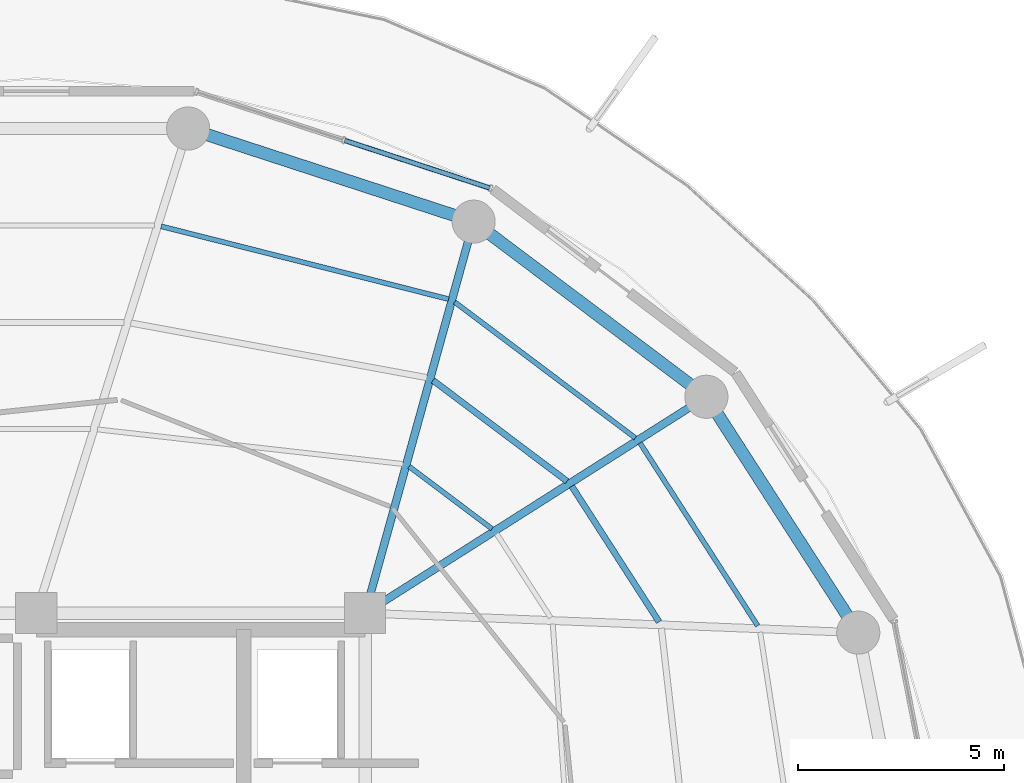
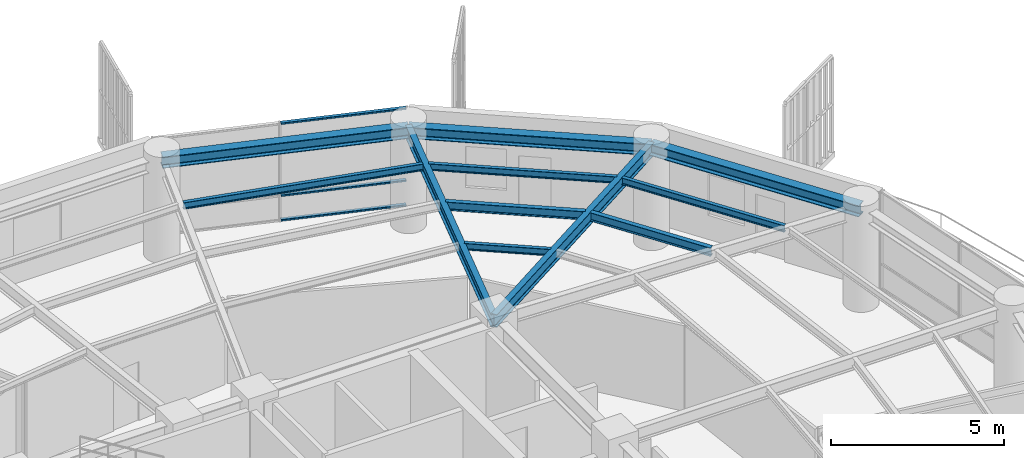
# One storey, part 21 of 31: 11 beams, 3 members, 1 element without a shape of its own.
"""IFC4 building model written with IfcOpenShell, lengths in metres."""

from ifc_helpers import new_model, si_unit, direction, frame, origin, origin_2d, place, context, subcontext, project, spatial, hollow_rectangle, i_section, extrude, material, layer, layer_set, material_profile, profile_set, type_object, element, aggregate, save


model = new_model("IFC4")

# Units and contexts
model_context = context("Model", 3, precision=1e-05, world=origin(), true_north=direction((0.0, 1.0)))
body_context = subcontext(model_context, "Body", "Model", "MODEL_VIEW")
ifc_project = project(units=[si_unit("LENGTHUNIT", "METRE"), si_unit("AREAUNIT", "SQUARE_METRE"), si_unit("VOLUMEUNIT", "CUBIC_METRE"), si_unit("PLANEANGLEUNIT", "RADIAN"), si_unit("MASSUNIT", "GRAM", prefix="KILO")], contexts=[model_context])

# Site, building, storey
site_placement = place(None, origin())
site = spatial("IfcSite", under=ifc_project, at=site_placement, CompositionType="ELEMENT")
building_placement = place(site_placement, origin())
building = spatial("IfcBuilding", under=site, at=building_placement, Name="Kelanora Arch Commons", CompositionType="ELEMENT")
storey_placement = place(building_placement, frame((0.0, 0.0, 219.449951171875)))
storey = spatial("IfcBuildingStorey", under=building, at=storey_placement, Name="L56", CompositionType="ELEMENT", Elevation=219.449951171875)

# Beams
ifc_material_1 = material(Name="Steel S355", Category="steel")
ifc_material_profile_1 = material_profile(ifc_material_1, i_section(OverallWidth=0.14990234375, OverallDepth=0.300048828125, WebThickness=0.007080078125, FlangeThickness=0.0107421875, FilletRadius=0.014892578125, at=origin_2d()), Name="IPE300")
ifc_profile_set_1 = profile_set([ifc_material_profile_1], Name="Steel S355")
beam_type_1 = type_object("IfcBeamType", Name="BM-JST-01", PredefinedType="JOIST", material=ifc_profile_set_1)
beam_1_placement = place(storey_placement, frame((89.152099609375, 64.786865234375, 3.340087890625), z_axis=(-0.541411265892, 0.840757896879, 0.0), x_axis=(-0.840757896879, -0.541411265892, 0.0)))
element("IfcBeam", 1, at=beam_1_placement, inside=storey, type_object=beam_type_1, Name="Secondary Chord Joist BJB-02 L56", PredefinedType="JOIST", context=body_context, shape_type="SweptSolid", body=[
    extrude(i_section(OverallWidth=0.14990234375, OverallDepth=0.300048828125, WebThickness=0.007080078125, FlangeThickness=0.0107421875, FilletRadius=0.014892578125, at=origin_2d()), origin(), (0.0, 0.0, 1.0), 3.92529296875),
])
beam_2_placement = place(storey_placement, frame((86.912841796875, 68.209716796875, 3.340087890625), z_axis=(-0.799101708656, 0.601195857624, 0.0), x_axis=(-0.601195857624, -0.799101708656, 0.0)))
element("IfcBeam", 2, at=beam_2_placement, inside=storey, type_object=beam_type_1, Name="Secondary Chord Joist BJB-04 L56", PredefinedType="JOIST", context=body_context, shape_type="SweptSolid", body=[
    extrude(i_section(OverallWidth=0.14990234375, OverallDepth=0.300048828125, WebThickness=0.007080078125, FlangeThickness=0.0107421875, FilletRadius=0.014892578125, at=origin_2d()), origin(), (0.0, 0.0, 1.0), 4.080810546875),
])
ifc_material_profile_2 = material_profile(ifc_material_1, i_section(OverallWidth=0.1201171875, OverallDepth=0.239990234375, WebThickness=0.006103515625, FlangeThickness=0.009765625, FilletRadius=0.014892578125, at=origin_2d()), Name="IPE240")
ifc_profile_set_2 = profile_set([ifc_material_profile_2], Name="Steel S355")
beam_type_2 = type_object("IfcBeamType", Name="BM-JST-02", PredefinedType="JOIST", material=ifc_profile_set_2)
beam_3_placement = place(storey_placement, frame((91.55126953125, 64.69189453125, 3.3701171875), z_axis=(-0.541382492679, 0.840776424872, 0.0), x_axis=(-0.840776424872, -0.541382492679, 0.0)))
element("IfcBeam", 3, at=beam_3_placement, inside=storey, type_object=beam_type_2, Name="Secondary Chord Joist BJC-02 L56", PredefinedType="JOIST", context=body_context, shape_type="SweptSolid", body=[
    extrude(i_section(OverallWidth=0.1201171875, OverallDepth=0.239990234375, WebThickness=0.006103515625, FlangeThickness=0.009765625, FilletRadius=0.014892578125, at=origin_2d()), origin(), (0.0, 0.0, 1.0), 5.29052734375),
])
beam_4_placement = place(storey_placement, frame((85.086669921875, 67.051513671875, 3.3701171875), z_axis=(-0.79911638933, 0.601176343766, 0.0), x_axis=(-0.601176343766, -0.79911638933, 0.0)))
element("IfcBeam", 4, at=beam_4_placement, inside=storey, type_object=beam_type_2, Name="Secondary Chord Joist BJA-04 L56", PredefinedType="JOIST", context=body_context, shape_type="SweptSolid", body=[
    extrude(i_section(OverallWidth=0.1201171875, OverallDepth=0.239990234375, WebThickness=0.006103515625, FlangeThickness=0.009765625, FilletRadius=0.014892578125, at=origin_2d()), origin(), (0.0, 0.0, 1.0), 2.522216796875),
])
beam_5_placement = place(storey_placement, frame((88.5732421875, 69.2626953125, 3.3701171875), z_axis=(-0.799109197935, 0.601185902842, 0.0), x_axis=(-0.601185902842, -0.799109197935, 0.0)))
element("IfcBeam", 5, at=beam_5_placement, inside=storey, type_object=beam_type_2, Name="Secondary Chord Joist BJC-04 L56", PredefinedType="JOIST", context=body_context, shape_type="SweptSolid", body=[
    extrude(i_section(OverallWidth=0.1201171875, OverallDepth=0.239990234375, WebThickness=0.006103515625, FlangeThickness=0.009765625, FilletRadius=0.014892578125, at=origin_2d()), origin(), (0.0, 0.0, 1.0), 5.497802734375),
])
beam_6_placement = place(storey_placement, frame((84.029541015625, 72.639892578125, 3.3701171875), z_axis=(-0.969370989998, 0.245601066263, 0.0), x_axis=(-0.245601066263, -0.969370989998, 0.0)))
element("IfcBeam", 6, at=beam_6_placement, inside=storey, type_object=beam_type_2, Name="Secondary Chord Joist BJC-06 L56", PredefinedType="JOIST", context=body_context, shape_type="SweptSolid", body=[
    extrude(i_section(OverallWidth=0.1201171875, OverallDepth=0.239990234375, WebThickness=0.006103515625, FlangeThickness=0.009765625, FilletRadius=0.014892578125, at=origin_2d()), origin(), (0.0, 0.0, 1.0), 7.2119140625),
])
ifc_material_profile_3 = material_profile(ifc_material_1, i_section(OverallWidth=0.18994140625, OverallDepth=0.449951171875, WebThickness=0.009521484375, FlangeThickness=0.0146484375, FilletRadius=0.02099609375, at=origin_2d()), Name="IPE450")
ifc_profile_set_3 = profile_set([ifc_material_profile_3], Name="Steel S355")
beam_type_3 = type_object("IfcBeamType", Name="BM-RAD-Z4", PredefinedType="BEAM", material=ifc_profile_set_3)
beam_7_placement = place(storey_placement, frame((82.0, 65.0, 3.26513671875), z_axis=(0.844507208607, 0.535544185489, 0.0), x_axis=(-0.535544185489, 0.844507208607, 0.0)))
element("IfcBeam", 7, at=beam_7_placement, inside=storey, type_object=beam_type_3, Name="Radial Floor Girder BR-04 L56", PredefinedType="BEAM", context=body_context, shape_type="SweptSolid", body=[
    extrude(i_section(OverallWidth=0.18994140625, OverallDepth=0.449951171875, WebThickness=0.009521484375, FlangeThickness=0.0146484375, FilletRadius=0.02099609375, at=origin_2d()), origin(), (0.0, 0.0, 1.0), 9.830078125),
])
beam_8_placement = place(storey_placement, frame((82.0, 65.0, 3.26513671875), z_axis=(0.267120164296, 0.963663228429, 0.0), x_axis=(-0.963663228429, 0.267120164296, 0.0)))
element("IfcBeam", 8, at=beam_8_placement, inside=storey, type_object=beam_type_3, Name="Radial Floor Girder BR-06 L56", PredefinedType="BEAM", context=body_context, shape_type="SweptSolid", body=[
    extrude(i_section(OverallWidth=0.18994140625, OverallDepth=0.449951171875, WebThickness=0.009521484375, FlangeThickness=0.0146484375, FilletRadius=0.02099609375, at=origin_2d()), origin(), (0.0, 0.0, 1.0), 9.8828125),
])
ifc_material_profile_4 = material_profile(ifc_material_1, i_section(OverallWidth=0.300048828125, OverallDepth=0.39990234375, WebThickness=0.013427734375, FlangeThickness=0.02392578125, FilletRadius=0.027099609375, at=origin_2d()), Name="HEB400")
ifc_profile_set_4 = profile_set([ifc_material_profile_4], Name="Steel S355")
beam_type_4 = type_object("IfcBeamType", Name="BM-SPN-Z4", PredefinedType="SPANDREL", material=ifc_profile_set_4)
beam_9_placement = place(storey_placement, frame((93.99658203125, 64.525634765625, 3.2900390625), z_axis=(-0.541364878868, 0.840787766281, 0.0), x_axis=(-0.840787766281, -0.541364878868, 0.0)))
element("IfcBeam", 9, at=beam_9_placement, inside=storey, type_object=beam_type_4, Name="Perimeter Spandrel Beam BS-02 L56", PredefinedType="SPANDREL", context=body_context, shape_type="SweptSolid", body=[
    extrude(i_section(OverallWidth=0.300048828125, OverallDepth=0.39990234375, WebThickness=0.013427734375, FlangeThickness=0.02392578125, FilletRadius=0.027099609375, at=origin_2d()), origin(), (0.0, 0.0, 1.0), 6.825439453125),
])
beam_10_placement = place(storey_placement, frame((90.301513671875, 70.264404296875, 3.2900390625), z_axis=(-0.799114211715, 0.60117923836, 0.0), x_axis=(-0.60117923836, -0.799114211715, 0.0)))
element("IfcBeam", 10, at=beam_10_placement, inside=storey, type_object=beam_type_4, Name="Perimeter Spandrel Beam BS-04 L56", PredefinedType="SPANDREL", context=body_context, shape_type="SweptSolid", body=[
    extrude(i_section(OverallWidth=0.300048828125, OverallDepth=0.39990234375, WebThickness=0.013427734375, FlangeThickness=0.02392578125, FilletRadius=0.027099609375, at=origin_2d()), origin(), (0.0, 0.0, 1.0), 7.0849609375),
])
beam_11_placement = place(storey_placement, frame((84.639892578125, 74.523681640625, 3.2900390625), z_axis=(-0.950656361143, 0.310245842872, 0.0), x_axis=(-0.310245842872, -0.950656361143, 0.0)))
element("IfcBeam", 11, at=beam_11_placement, inside=storey, type_object=beam_type_4, Name="Perimeter Spandrel Beam BS-06 L56", PredefinedType="SPANDREL", context=body_context, shape_type="SweptSolid", body=[
    extrude(i_section(OverallWidth=0.300048828125, OverallDepth=0.39990234375, WebThickness=0.013427734375, FlangeThickness=0.02392578125, FilletRadius=0.027099609375, at=origin_2d()), origin(), (0.0, 0.0, 1.0), 7.304931640625),
])

# Curtain wall, members
ifc_material_2 = material(Name="Terracotta ceramic-fritted low-E glass and aluminium", Category="masonry")
ifc_layer = layer(ifc_material_2, 0.175048828125)
ifc_layer_set = layer_set([ifc_layer], Name="Terracotta ceramic-fritted low-E glass and aluminium")
curtain_wall_type = type_object("IfcCurtainWallType", Name="CW-SYS-02", PredefinedType="NOTDEFINED", material=ifc_layer_set)
curtain_wall_placement = place(storey_placement, origin())
curtain_wall = element("IfcCurtainWall", 12, at=curtain_wall_placement, inside=storey, type_object=curtain_wall_type, Name="Unitised Curtain Wall L56-B03", PredefinedType="NOTDEFINED")
ifc_material_3 = material(Name="Powder-coated aluminium terracotta", Category="masonry")
ifc_material_profile_5 = material_profile(ifc_material_3, hollow_rectangle(XDim=0.1201171875, YDim=0.06005859375, WallThickness=0.0048828125, InnerFilletRadius=0.0048828125, OuterFilletRadius=0.010009765625, at=origin_2d()), Name="CWT120x60")
ifc_profile_set_5 = profile_set([ifc_material_profile_5], Name="Powder-coated aluminium terracotta")
member_type = type_object("IfcMemberType", Name="CWT-STD", PredefinedType="USERDEFINED", material=ifc_profile_set_5)
member_1_placement = place(storey_placement, frame((85.02880859375, 75.343994140625, 0.030029296875), z_axis=(-0.950226025222, 0.311561392011, 0.0), x_axis=(-0.311561392011, -0.950226025222, 0.0)))
member_1 = element("IfcMember", 13, at=member_1_placement, type_object=member_type, Name="CW-02 transom 1.1", ObjectType="TRANSOM", PredefinedType="USERDEFINED", context=body_context, shape_type="SweptSolid", body=[
    extrude(hollow_rectangle(XDim=0.1201171875, YDim=0.06005859375, WallThickness=0.0048828125, InnerFilletRadius=0.0048828125, OuterFilletRadius=0.010009765625, at=origin_2d()), origin(), (0.0, 0.0, 1.0), 3.707275390625),
])
member_2_placement = place(storey_placement, frame((85.02880859375, 75.343994140625, 0.900146484375), z_axis=(-0.950226025222, 0.311561392011, 0.0), x_axis=(-0.311561392011, -0.950226025222, 0.0)))
member_2 = element("IfcMember", 14, at=member_2_placement, type_object=member_type, Name="CW-02 transom 1.2", ObjectType="TRANSOM", PredefinedType="USERDEFINED", context=body_context, shape_type="SweptSolid", body=[
    extrude(hollow_rectangle(XDim=0.1201171875, YDim=0.06005859375, WallThickness=0.0048828125, InnerFilletRadius=0.0048828125, OuterFilletRadius=0.010009765625, at=origin_2d()), origin(), (0.0, 0.0, 1.0), 3.707275390625),
])
member_3_placement = place(storey_placement, frame((85.02880859375, 75.343994140625, 3.445068359375), z_axis=(-0.950226025222, 0.311561392011, 0.0), x_axis=(-0.311561392011, -0.950226025222, 0.0)))
member_3 = element("IfcMember", 15, at=member_3_placement, type_object=member_type, Name="CW-02 transom 1.3", ObjectType="TRANSOM", PredefinedType="USERDEFINED", context=body_context, shape_type="SweptSolid", body=[
    extrude(hollow_rectangle(XDim=0.1201171875, YDim=0.06005859375, WallThickness=0.0048828125, InnerFilletRadius=0.0048828125, OuterFilletRadius=0.010009765625, at=origin_2d()), origin(), (0.0, 0.0, 1.0), 3.707275390625),
])
aggregate(curtain_wall, [member_1, member_2, member_3])

save(model, "model.ifc")
